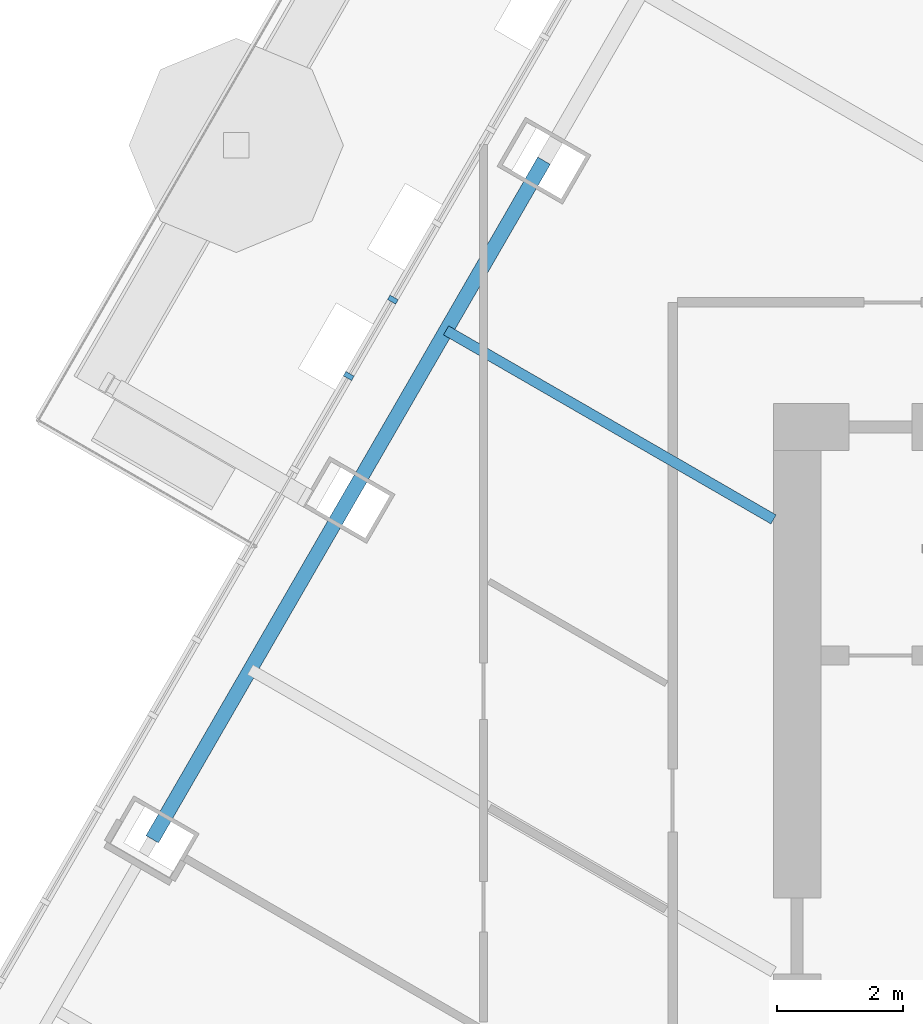
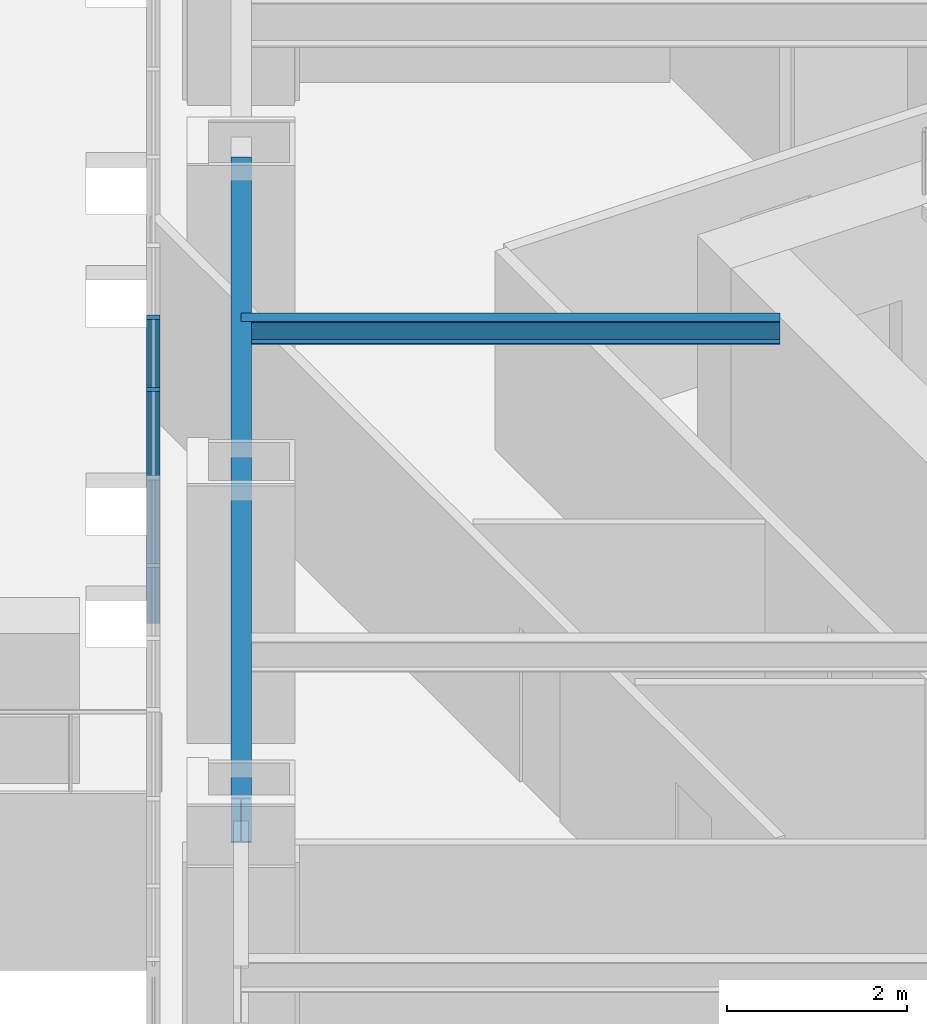
# One storey, part 5 of 22: 2 beams, 2 members, 1 element without a shape of its own.
"""IFC4 building model written with IfcOpenShell, lengths in metres."""

from ifc_helpers import new_model, si_unit, direction, frame, origin, origin_2d, place, context, subcontext, project, spatial, rectangle, i_section, extrude, material, layer, layer_set, material_profile, profile_set, type_object, element, aggregate, save


model = new_model("IFC4")

# Units and contexts
model_context = context("Model", 3, precision=1e-05, world=origin(), true_north=direction((0.0, 1.0)))
body_context = subcontext(model_context, "Body", "Model", "MODEL_VIEW")
ifc_project = project(units=[si_unit("LENGTHUNIT", "METRE"), si_unit("AREAUNIT", "SQUARE_METRE"), si_unit("VOLUMEUNIT", "CUBIC_METRE"), si_unit("PLANEANGLEUNIT", "RADIAN"), si_unit("MASSUNIT", "GRAM", prefix="KILO")], contexts=[model_context])

# Site, building, storey
site_placement = place(None, origin())
site = spatial("IfcSite", under=ifc_project, at=site_placement, CompositionType="ELEMENT")
building_placement = place(site_placement, origin())
building = spatial("IfcBuilding", under=site, at=building_placement, Name="Firuza Gate Tower and Library", CompositionType="ELEMENT")
storey_placement = place(building_placement, frame((0.0, 0.0, 295.10009765625)))
storey = spatial("IfcBuildingStorey", under=building, at=storey_placement, Name="L71", CompositionType="ELEMENT", Elevation=295.10009765625)

# Curtain wall, members
ifc_material_1 = material(Name="Aluminium 6063-T6", Category="aluminium")
ifc_layer = layer(ifc_material_1, 0.14990234375)
ifc_layer_set = layer_set([ifc_layer], Name="Unitised curtain wall, residences")
curtain_wall_type = type_object("IfcCurtainWallType", Name="Unitised curtain wall, residences", PredefinedType="NOTDEFINED", material=ifc_layer_set)
curtain_wall_placement = place(storey_placement, origin())
curtain_wall = element("IfcCurtainWall", 1, at=curtain_wall_placement, inside=storey, type_object=curtain_wall_type, Name="CW3 L71 W face", PredefinedType="NOTDEFINED")
ifc_material_2 = material(Name="Aluminium 6063-T6", Category="aluminium")
ifc_material_profile_1 = material_profile(ifc_material_2, rectangle(XDim=0.14990234375, YDim=0.080078125, at=origin_2d()))
ifc_profile_set_1 = profile_set([ifc_material_profile_1], Name="Aluminium 6063-T6")
member_type = type_object("IfcMemberType", Name="Curtain wall mullion 80x150", PredefinedType="MULLION", material=ifc_profile_set_1)
member_1_placement = place(storey_placement, frame((60.461669921875, 83.393798828125, 0.14990234375), z_axis=(0.0, 0.0, 1.0), x_axis=(0.866025403784, -0.5, 0.0)))
member_1 = element("IfcMember", 2, at=member_1_placement, type_object=member_type, Name="Mullion", PredefinedType="MULLION", context=body_context, shape_type="SweptSolid", body=[
    extrude(rectangle(XDim=0.14990234375, YDim=0.080078125, at=origin_2d()), origin(), (0.0, 0.0, 1.0), 3.14990234375),
])
member_2_placement = place(storey_placement, frame((59.762451171875, 82.1826171875, 0.14990234375), z_axis=(0.0, 0.0, 1.0), x_axis=(0.866025403784, -0.5, 0.0)))
member_2 = element("IfcMember", 3, at=member_2_placement, type_object=member_type, Name="Mullion", PredefinedType="MULLION", context=body_context, shape_type="SweptSolid", body=[
    extrude(rectangle(XDim=0.14990234375, YDim=0.080078125, at=origin_2d()), origin(), (0.0, 0.0, 1.0), 3.14990234375),
])
aggregate(curtain_wall, [member_1, member_2])

# Beams
ifc_material_3 = material(Name="Steel S355", Category="steel")
ifc_material_profile_2 = material_profile(ifc_material_3, i_section(OverallWidth=0.1650390625, OverallDepth=0.31005859375, WebThickness=0.005859375, FlangeThickness=0.009765625, at=origin_2d()))
ifc_profile_set_2 = profile_set([ifc_material_profile_2], Name="Steel S355")
beam_type_1 = type_object("IfcBeamType", Name="W310x39 Floor beam", PredefinedType="JOIST", material=ifc_profile_set_2)
beam_1_placement = place(storey_placement, frame((61.30615234375, 82.90625, 3.14501953125), z_axis=(0.866017464951, -0.500013750211, 0.0), x_axis=(0.500013750211, 0.866017464951, 0.0)))
element("IfcBeam", 4, at=beam_1_placement, inside=storey, type_object=beam_type_1, Name="Floor beam L71 s82", PredefinedType="JOIST", context=body_context, shape_type="SweptSolid", body=[
    extrude(i_section(OverallWidth=0.1650390625, OverallDepth=0.31005859375, WebThickness=0.005859375, FlangeThickness=0.009765625, at=origin_2d()), origin(), (0.0, 0.0, 1.0), 5.997314453125),
])
ifc_material_4 = material(Name="Steel S355", Category="steel")
ifc_material_profile_3 = material_profile(ifc_material_4, i_section(OverallWidth=0.22900390625, OverallDepth=0.612060546875, WebThickness=0.011962890625, FlangeThickness=0.01953125, at=origin_2d()))
ifc_profile_set_3 = profile_set([ifc_material_profile_3], Name="Steel S355")
beam_type_2 = type_object("IfcBeamType", Name="W610x125 Edge beam", PredefinedType="SPANDREL", material=ifc_profile_set_3)
beam_2_placement = place(storey_placement, frame((62.859375, 85.5966796875, 2.993896484375), z_axis=(-0.499997388771, -0.866026911373, 0.0), x_axis=(0.866026911373, -0.499997388771, 0.0)))
element("IfcBeam", 5, at=beam_2_placement, inside=storey, type_object=beam_type_2, Name="Edge beam L71 e82", PredefinedType="SPANDREL", context=body_context, shape_type="SweptSolid", body=[
    extrude(i_section(OverallWidth=0.22900390625, OverallDepth=0.612060546875, WebThickness=0.011962890625, FlangeThickness=0.01953125, at=origin_2d()), origin(), (0.0, 0.0, 1.0), 12.4267578125),
])

save(model, "model.ifc")
